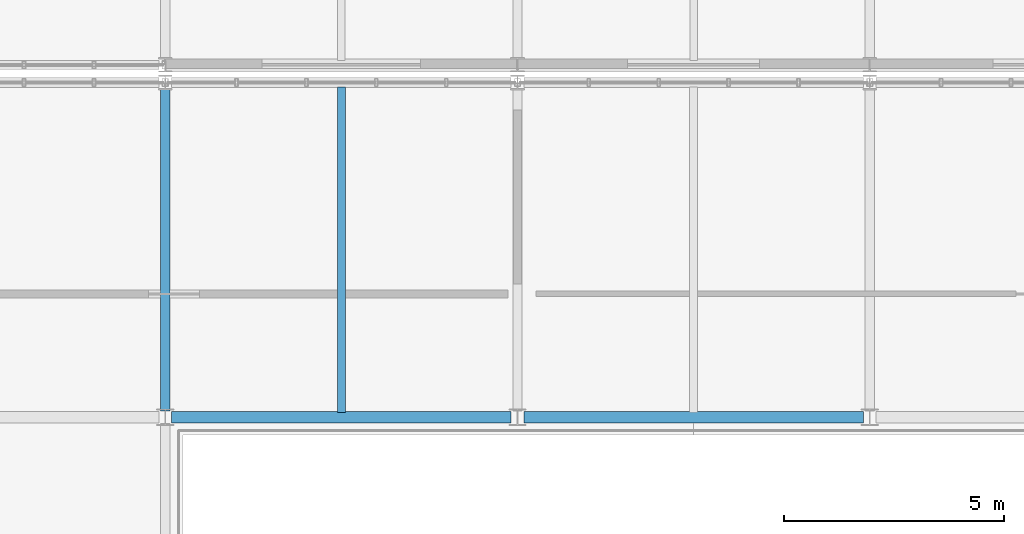
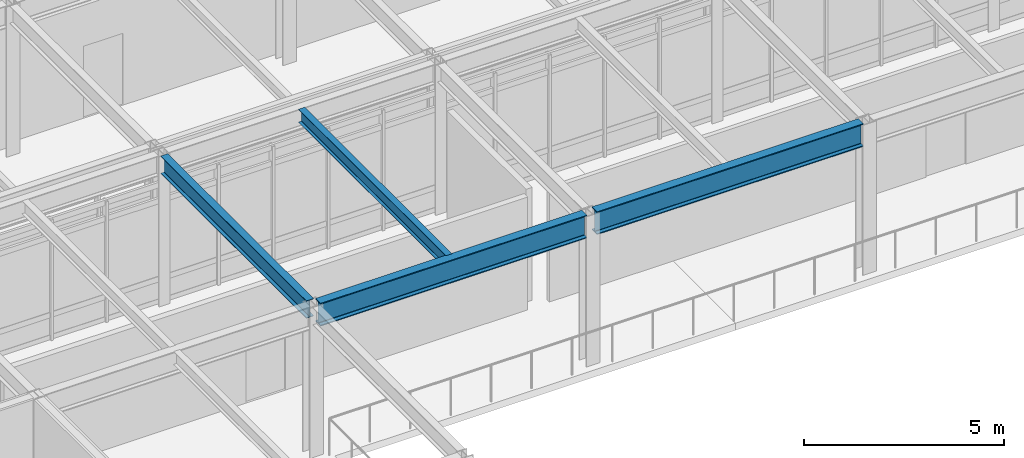
# One storey, part 49 of 104: 4 beams.
"""IFC4 building model written with IfcOpenShell, lengths in metres."""

from ifc_helpers import new_model, si_unit, direction, frame, origin, origin_2d, place, context, subcontext, project, spatial, i_section, extrude, material, material_profile, profile_set, type_object, element, save


model = new_model("IFC4")

# Units and contexts
model_context = context("Model", 3, precision=1e-05, world=origin(), true_north=direction((0.0, 1.0)))
body_context = subcontext(model_context, "Body", "Model", "MODEL_VIEW")
ifc_project = project(units=[si_unit("LENGTHUNIT", "METRE"), si_unit("AREAUNIT", "SQUARE_METRE"), si_unit("VOLUMEUNIT", "CUBIC_METRE"), si_unit("PLANEANGLEUNIT", "RADIAN"), si_unit("MASSUNIT", "GRAM", prefix="KILO")], contexts=[model_context])

# Site, building, storey
site_placement = place(None, origin())
site = spatial("IfcSite", under=ifc_project, at=site_placement, CompositionType="ELEMENT")
building_placement = place(site_placement, origin())
building = spatial("IfcBuilding", under=site, at=building_placement, Name="Zulena Civic Courthouse", CompositionType="ELEMENT")
storey_placement = place(building_placement, frame((0.0, 0.0, 10.800048828125)))
storey = spatial("IfcBuildingStorey", under=building, at=storey_placement, Name="L02", CompositionType="ELEMENT", Elevation=10.800048828125)

# Beams
ifc_material = material(Name="Steel ASTM A992 Grade 50", Category="steel")
ifc_material_profile_1 = material_profile(ifc_material, i_section(OverallWidth=0.25390625, OverallDepth=0.701904296875, WebThickness=0.015380859375, FlangeThickness=0.02783203125, FilletRadius=0.0166015625, at=origin_2d()), Name="W27X129")
ifc_profile_set_1 = profile_set([ifc_material_profile_1], Name="Steel ASTM A992 Grade 50")
beam_type_1 = type_object("IfcBeamType", Name="Girder_W27X129", PredefinedType="BEAM", material=ifc_profile_set_1)
for number, where, z_axis, x_axis, name in (
    (1, (84.14501953125, 38.0, 4.239013671875), (1.0, 0.0, 0.0), (0.0, 1.0, 0.0), "beam:X:V4:L02:38.0:84.0_92.0"),
    (2, (92.14501953125, 38.0, 4.239013671875), (1.0, 0.0, 0.0), (0.0, 1.0, 0.0), "beam:X:V4:L02:38.0:92.0_100.0"),
):
    element("IfcBeam", number, at=place(storey_placement, frame(where, z_axis=z_axis, x_axis=x_axis)), inside=storey, type_object=beam_type_1, Name=name, PredefinedType="BEAM", context=body_context, shape_type="SweptSolid", body=[
        extrude(i_section(OverallWidth=0.25390625, OverallDepth=0.701904296875, WebThickness=0.015380859375, FlangeThickness=0.02783203125, FilletRadius=0.0166015625, at=origin_2d()), origin(), (0.0, 0.0, 1.0), 7.7099609375),
    ])
ifc_material_profile_2 = material_profile(ifc_material, i_section(OverallWidth=0.177978515625, OverallDepth=0.406005859375, WebThickness=0.0078125, FlangeThickness=0.0126953125, FilletRadius=0.01025390625, at=origin_2d()), Name="W16X40")
ifc_profile_set_2 = profile_set([ifc_material_profile_2], Name="Steel ASTM A992 Grade 50")
beam_type_2 = type_object("IfcBeamType", Name="Joist_W16X40", PredefinedType="JOIST", material=ifc_profile_set_2)
beam_1_placement = place(storey_placement, frame((88.0, 38.10498046875, 4.386962890625), z_axis=(0.0, 1.0, 0.0), x_axis=(-1.0, 0.0, 0.0)))
element("IfcBeam", 3, at=beam_1_placement, inside=storey, type_object=beam_type_2, Name="joist:V4:L02:88.00:38.0_45.6", PredefinedType="JOIST", context=body_context, shape_type="SweptSolid", body=[
    extrude(i_section(OverallWidth=0.177978515625, OverallDepth=0.406005859375, WebThickness=0.0078125, FlangeThickness=0.0126953125, FilletRadius=0.01025390625, at=origin_2d()), origin(), (0.0, 0.0, 1.0), 7.39013671875),
])
ifc_material_profile_3 = material_profile(ifc_material, i_section(OverallWidth=0.2099609375, OverallDepth=0.537109375, WebThickness=0.010986328125, FlangeThickness=0.017333984375, FilletRadius=0.0126953125, at=origin_2d()), Name="W21X68")
ifc_profile_set_3 = profile_set([ifc_material_profile_3], Name="Steel ASTM A992 Grade 50")
beam_type_3 = type_object("IfcBeamType", Name="Spandrel_W21X68", PredefinedType="SPANDREL", material=ifc_profile_set_3)
beam_2_placement = place(storey_placement, frame((84.0, 38.14501953125, 4.321533203125), z_axis=(0.0, 1.0, 0.0), x_axis=(-1.0, 0.0, 0.0)))
element("IfcBeam", 4, at=beam_2_placement, inside=storey, type_object=beam_type_3, Name="beam:Y:V4:L02:84.0:38.0_45.6", PredefinedType="SPANDREL", context=body_context, shape_type="SweptSolid", body=[
    extrude(i_section(OverallWidth=0.2099609375, OverallDepth=0.537109375, WebThickness=0.010986328125, FlangeThickness=0.017333984375, FilletRadius=0.0126953125, at=origin_2d()), origin(), (0.0, 0.0, 1.0), 7.31005859375),
])

save(model, "model.ifc")
